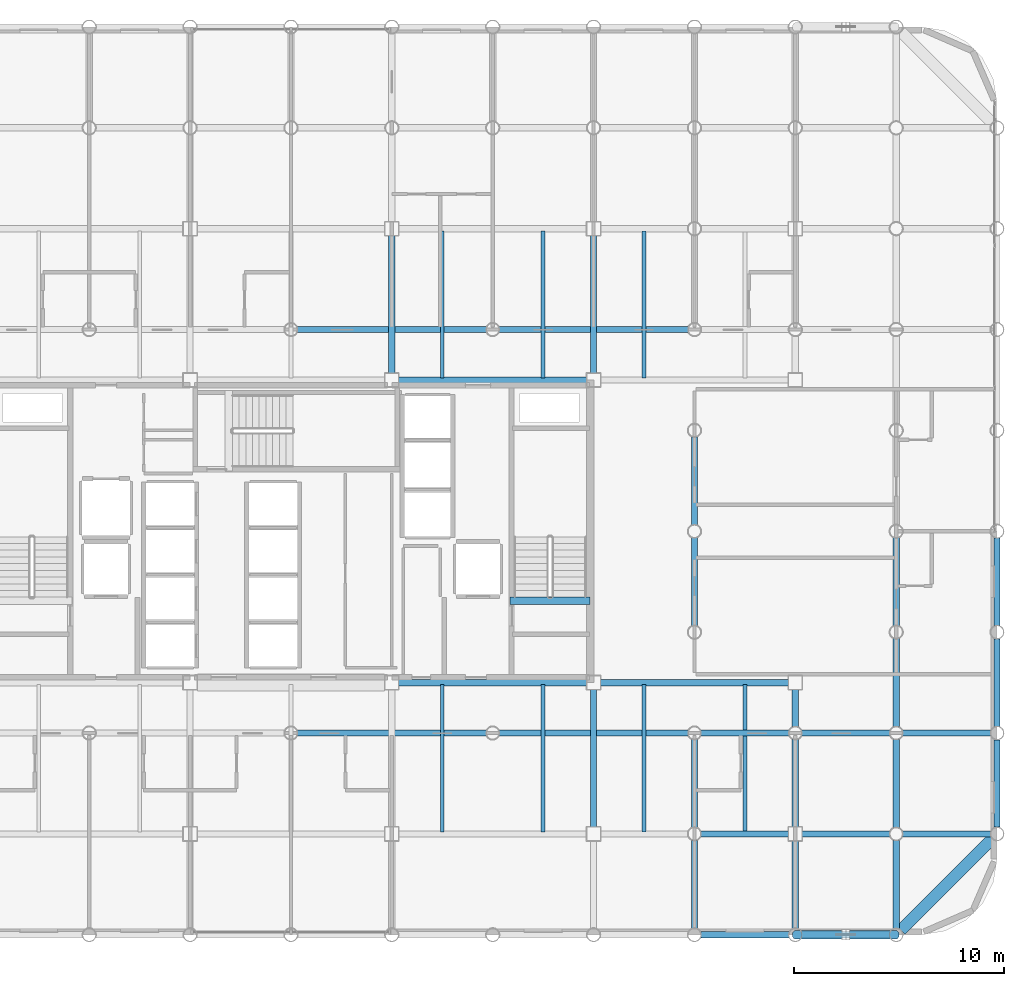
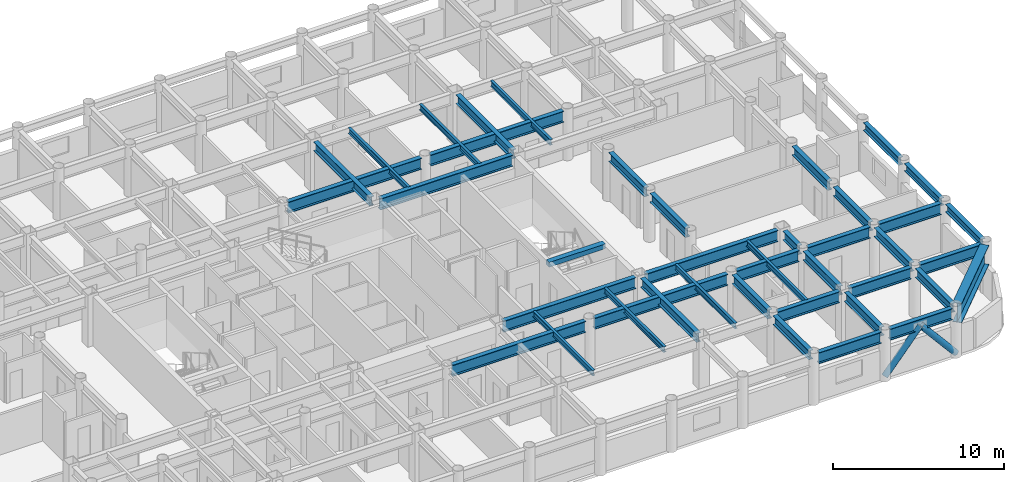
# One storey, part 7 of 22: 41 beams, 2 members.
"""IFC4 building model written with IfcOpenShell, lengths in metres."""

from ifc_helpers import new_model, si_unit, direction, frame, origin, origin_2d, place, context, subcontext, project, spatial, rectangle, hollow_circle, i_section, extrude, material, material_profile, profile_set, type_object, element, save


model = new_model("IFC4")

# Units and contexts
model_context = context("Model", 3, precision=1e-05, world=origin(), true_north=direction((0.0, 1.0)))
body_context = subcontext(model_context, "Body", "Model", "MODEL_VIEW")
ifc_project = project(units=[si_unit("LENGTHUNIT", "METRE"), si_unit("AREAUNIT", "SQUARE_METRE"), si_unit("VOLUMEUNIT", "CUBIC_METRE"), si_unit("PLANEANGLEUNIT", "RADIAN"), si_unit("MASSUNIT", "GRAM", prefix="KILO")], contexts=[model_context])

# Site, building, storey
site_placement = place(None, origin())
site = spatial("IfcSite", under=ifc_project, at=site_placement, CompositionType="ELEMENT")
building_placement = place(site_placement, origin())
building = spatial("IfcBuilding", under=site, at=building_placement, Name="Kallvorn Hotel Tower", CompositionType="ELEMENT")
storey_placement = place(building_placement, frame((0.0, 0.0, 106.300048828125)))
storey = spatial("IfcBuildingStorey", under=building, at=storey_placement, Name="L25", CompositionType="ELEMENT", Elevation=106.300048828125)

# Beams
ifc_material_1 = material(Name="Structural steel S355JR", Category="steel")
ifc_material_profile_1 = material_profile(ifc_material_1, i_section(OverallWidth=0.300048828125, OverallDepth=0.550048828125, WebThickness=0.014892578125, FlangeThickness=0.029052734375, at=origin_2d()), Name="HE 550 B")
ifc_profile_set_1 = profile_set([ifc_material_profile_1], Name="Structural steel S355JR")
beam_type_1 = type_object("IfcBeamType", Name="BM_HE550B", PredefinedType="SPANDREL", material=ifc_profile_set_1)
beam_1_placement = place(storey_placement, frame((33.60009765625, -14.080078125, 3.244873046875), z_axis=(0.0, 1.0, 0.0), x_axis=(-1.0, 0.0, 0.0)))
element("IfcBeam", 1, at=beam_1_placement, inside=storey, type_object=beam_type_1, Name="L26 Perimeter Spandrel 182", PredefinedType="SPANDREL", context=body_context, shape_type="SweptSolid", body=[
    extrude(i_section(OverallWidth=0.300048828125, OverallDepth=0.550048828125, WebThickness=0.014892578125, FlangeThickness=0.029052734375, at=origin_2d()), origin(), (0.0, 0.0, 1.0), 4.16015625),
])
for number, where, z_axis, x_axis, name in (
    (2, (33.60009765625, -9.280029296875, 3.244873046875), (0.0, 1.0, 0.0), (-1.0, 0.0, 0.0), "L26 Perimeter Spandrel 183"),
    (3, (33.60009765625, -4.47998046875, 3.244873046875), (0.0, 1.0, 0.0), (-1.0, 0.0, 0.0), "L26 Perimeter Spandrel 184"),
):
    element("IfcBeam", number, at=place(storey_placement, frame(where, z_axis=z_axis, x_axis=x_axis)), inside=storey, type_object=beam_type_1, Name=name, PredefinedType="SPANDREL", context=body_context, shape_type="SweptSolid", body=[
        extrude(i_section(OverallWidth=0.300048828125, OverallDepth=0.550048828125, WebThickness=0.014892578125, FlangeThickness=0.029052734375, at=origin_2d()), origin(), (0.0, 0.0, 1.0), 4.159912109375),
    ])
ifc_material_2 = material(Name="Structural steel S355JR", Category="steel")
ifc_material_profile_2 = material_profile(ifc_material_2, i_section(OverallWidth=0.300048828125, OverallDepth=0.64990234375, WebThickness=0.01611328125, FlangeThickness=0.031005859375, at=origin_2d()), Name="HE 650 B")
ifc_profile_set_2 = profile_set([ifc_material_profile_2], Name="Structural steel S355JR")
beam_type_2 = type_object("IfcBeamType", Name="BM_HE650B", PredefinedType="BEAM", material=ifc_profile_set_2)
for number, where, z_axis, x_axis, name in (
    (4, (4.800048828125, 7.52490234375, 3.195068359375), (0.0, 1.0, 0.0), (-1.0, 0.0, 0.0), "L26 Primary Y-Girder 115"),
    (5, (14.39990234375, -14.074951171875, 3.195068359375), (0.0, 1.0, 0.0), (-1.0, 0.0, 0.0), "L26 Primary Y-Girder 122"),
    (6, (14.39990234375, 7.52490234375, 3.195068359375), (0.0, 1.0, 0.0), (-1.0, 0.0, 0.0), "L26 Primary Y-Girder 123"),
):
    element("IfcBeam", number, at=place(storey_placement, frame(where, z_axis=z_axis, x_axis=x_axis)), inside=storey, type_object=beam_type_2, Name=name, PredefinedType="BEAM", context=body_context, shape_type="SweptSolid", body=[
        extrude(i_section(OverallWidth=0.300048828125, OverallDepth=0.64990234375, WebThickness=0.01611328125, FlangeThickness=0.031005859375, at=origin_2d()), origin(), (0.0, 0.0, 1.0), 6.550048828125),
    ])
for number, where, z_axis, x_axis, name in (
    (7, (19.199951171875, -18.89501953125, 3.195068359375), (0.0, 1.0, 0.0), (-1.0, 0.0, 0.0), "L26 Primary Y-Girder 126"),
    (8, (19.199951171875, -14.094970703125, 3.195068359375), (0.0, 1.0, 0.0), (-1.0, 0.0, 0.0), "L26 Primary Y-Girder 127"),
):
    element("IfcBeam", number, at=place(storey_placement, frame(where, z_axis=z_axis, x_axis=x_axis)), inside=storey, type_object=beam_type_2, Name=name, PredefinedType="BEAM", context=body_context, shape_type="SweptSolid", body=[
        extrude(i_section(OverallWidth=0.300048828125, OverallDepth=0.64990234375, WebThickness=0.01611328125, FlangeThickness=0.031005859375, at=origin_2d()), origin(), (0.0, 0.0, 1.0), 4.18994140625),
    ])
for number, where, z_axis, x_axis, name in (
    (9, (19.199951171875, -4.4951171875, 3.195068359375), (0.0, 1.0, 0.0), (-1.0, 0.0, 0.0), "L26 Primary Y-Girder 129"),
    (10, (19.199951171875, 0.304931640625, 3.195068359375), (0.0, 1.0, 0.0), (-1.0, 0.0, 0.0), "L26 Primary Y-Girder 130"),
):
    element("IfcBeam", number, at=place(storey_placement, frame(where, z_axis=z_axis, x_axis=x_axis)), inside=storey, type_object=beam_type_2, Name=name, PredefinedType="BEAM", context=body_context, shape_type="SweptSolid", body=[
        extrude(i_section(OverallWidth=0.300048828125, OverallDepth=0.64990234375, WebThickness=0.01611328125, FlangeThickness=0.031005859375, at=origin_2d()), origin(), (0.0, 0.0, 1.0), 4.190185546875),
    ])
for number, where, z_axis, x_axis, name in (
    (11, (24.0, -18.89501953125, 3.195068359375), (0.0, 1.0, 0.0), (-1.0, 0.0, 0.0), "L26 Primary Y-Girder 135"),
    (12, (24.0, -14.074951171875, 3.195068359375), (0.0, 1.0, 0.0), (-1.0, 0.0, 0.0), "L26 Primary Y-Girder 136"),
):
    element("IfcBeam", number, at=place(storey_placement, frame(where, z_axis=z_axis, x_axis=x_axis)), inside=storey, type_object=beam_type_2, Name=name, PredefinedType="BEAM", context=body_context, shape_type="SweptSolid", body=[
        extrude(i_section(OverallWidth=0.300048828125, OverallDepth=0.64990234375, WebThickness=0.01611328125, FlangeThickness=0.031005859375, at=origin_2d()), origin(), (0.0, 0.0, 1.0), 4.169921875),
    ])
beam_2_placement = place(storey_placement, frame((24.0, -9.294921875, 3.195068359375), z_axis=(0.0, 1.0, 0.0), x_axis=(-1.0, 0.0, 0.0)))
element("IfcBeam", 13, at=beam_2_placement, inside=storey, type_object=beam_type_2, Name="L26 Primary Y-Girder 137", PredefinedType="BEAM", context=body_context, shape_type="SweptSolid", body=[
    extrude(i_section(OverallWidth=0.300048828125, OverallDepth=0.64990234375, WebThickness=0.01611328125, FlangeThickness=0.031005859375, at=origin_2d()), origin(), (0.0, 0.0, 1.0), 1.77001953125),
])
for number, where, z_axis, x_axis, name in (
    (14, (28.800048828125, -18.89501953125, 3.195068359375), (0.0, 1.0, 0.0), (-1.0, 0.0, 0.0), "L26 Primary Y-Girder 142"),
    (15, (28.800048828125, -14.094970703125, 3.195068359375), (0.0, 1.0, 0.0), (-1.0, 0.0, 0.0), "L26 Primary Y-Girder 143"),
    (16, (28.800048828125, -9.294921875, 3.195068359375), (0.0, 1.0, 0.0), (-1.0, 0.0, 0.0), "L26 Primary Y-Girder 144"),
):
    element("IfcBeam", number, at=place(storey_placement, frame(where, z_axis=z_axis, x_axis=x_axis)), inside=storey, type_object=beam_type_2, Name=name, PredefinedType="BEAM", context=body_context, shape_type="SweptSolid", body=[
        extrude(i_section(OverallWidth=0.300048828125, OverallDepth=0.64990234375, WebThickness=0.01611328125, FlangeThickness=0.031005859375, at=origin_2d()), origin(), (0.0, 0.0, 1.0), 4.18994140625),
    ])
beam_3_placement = place(storey_placement, frame((28.800048828125, -4.4951171875, 3.195068359375), z_axis=(0.0, 1.0, 0.0), x_axis=(-1.0, 0.0, 0.0)))
element("IfcBeam", 17, at=beam_3_placement, inside=storey, type_object=beam_type_2, Name="L26 Primary Y-Girder 145", PredefinedType="BEAM", context=body_context, shape_type="SweptSolid", body=[
    extrude(i_section(OverallWidth=0.300048828125, OverallDepth=0.64990234375, WebThickness=0.01611328125, FlangeThickness=0.031005859375, at=origin_2d()), origin(), (0.0, 0.0, 1.0), 4.190185546875),
])
ifc_material_3 = material(Name="Structural steel S355JR", Category="steel")
ifc_material_profile_3 = material_profile(ifc_material_3, i_section(OverallWidth=0.300048828125, OverallDepth=0.800048828125, WebThickness=0.017578125, FlangeThickness=0.032958984375, at=origin_2d()), Name="HE 800 B")
ifc_profile_set_3 = profile_set([ifc_material_profile_3], Name="Structural steel S355JR")
beam_type_3 = type_object("IfcBeamType", Name="BM_HE800B", PredefinedType="BEAM", material=ifc_profile_set_3)
for number, where, z_axis, x_axis, name in (
    (18, (19.5048828125, -19.199951171875, 3.119873046875), (1.0, 0.0, 0.0), (0.0, 1.0, 0.0), "L26 Primary X-Girder 11"),
    (19, (24.304931640625, -19.199951171875, 3.119873046875), (1.0, 0.0, 0.0), (0.0, 1.0, 0.0), "L26 Primary X-Girder 12"),
):
    element("IfcBeam", number, at=place(storey_placement, frame(where, z_axis=z_axis, x_axis=x_axis)), inside=storey, type_object=beam_type_3, Name=name, PredefinedType="BEAM", context=body_context, shape_type="SweptSolid", body=[
        extrude(i_section(OverallWidth=0.300048828125, OverallDepth=0.800048828125, WebThickness=0.017578125, FlangeThickness=0.032958984375, at=origin_2d()), origin(), (0.0, 0.0, 1.0), 4.190185546875),
    ])
for number, where, z_axis, x_axis, name in (
    (20, (19.5048828125, -14.39990234375, 3.119873046875), (1.0, 0.0, 0.0), (0.0, 1.0, 0.0), "L26 Primary X-Girder 20"),
    (21, (24.324951171875, -14.39990234375, 3.119873046875), (1.0, 0.0, 0.0), (0.0, 1.0, 0.0), "L26 Primary X-Girder 21"),
):
    element("IfcBeam", number, at=place(storey_placement, frame(where, z_axis=z_axis, x_axis=x_axis)), inside=storey, type_object=beam_type_3, Name=name, PredefinedType="BEAM", context=body_context, shape_type="SweptSolid", body=[
        extrude(i_section(OverallWidth=0.300048828125, OverallDepth=0.800048828125, WebThickness=0.017578125, FlangeThickness=0.032958984375, at=origin_2d()), origin(), (0.0, 0.0, 1.0), 4.170166015625),
    ])
beam_4_placement = place(storey_placement, frame((29.10498046875, -14.39990234375, 3.119873046875), z_axis=(1.0, 0.0, 0.0), x_axis=(0.0, 1.0, 0.0)))
element("IfcBeam", 22, at=beam_4_placement, inside=storey, type_object=beam_type_3, Name="L26 Primary X-Girder 22", PredefinedType="BEAM", context=body_context, shape_type="SweptSolid", body=[
    extrude(i_section(OverallWidth=0.300048828125, OverallDepth=0.800048828125, WebThickness=0.017578125, FlangeThickness=0.032958984375, at=origin_2d()), origin(), (0.0, 0.0, 1.0), 4.18994140625),
])
for number, where, z_axis, x_axis, name in (
    (23, (0.304931640625, -9.60009765625, 3.119873046875), (1.0, 0.0, 0.0), (0.0, 1.0, 0.0), "L26 Primary X-Girder 27"),
    (24, (9.905029296875, -9.60009765625, 3.119873046875), (1.0, 0.0, 0.0), (0.0, 1.0, 0.0), "L26 Primary X-Girder 28"),
):
    element("IfcBeam", number, at=place(storey_placement, frame(where, z_axis=z_axis, x_axis=x_axis)), inside=storey, type_object=beam_type_3, Name=name, PredefinedType="BEAM", context=body_context, shape_type="SweptSolid", body=[
        extrude(i_section(OverallWidth=0.300048828125, OverallDepth=0.800048828125, WebThickness=0.017578125, FlangeThickness=0.032958984375, at=origin_2d()), origin(), (0.0, 0.0, 1.0), 8.989990234375),
    ])
for number, where, z_axis, x_axis, name in (
    (25, (19.5048828125, -9.60009765625, 3.119873046875), (1.0, 0.0, 0.0), (0.0, 1.0, 0.0), "L26 Primary X-Girder 29"),
    (26, (24.304931640625, -9.60009765625, 3.119873046875), (1.0, 0.0, 0.0), (0.0, 1.0, 0.0), "L26 Primary X-Girder 30"),
):
    element("IfcBeam", number, at=place(storey_placement, frame(where, z_axis=z_axis, x_axis=x_axis)), inside=storey, type_object=beam_type_3, Name=name, PredefinedType="BEAM", context=body_context, shape_type="SweptSolid", body=[
        extrude(i_section(OverallWidth=0.300048828125, OverallDepth=0.800048828125, WebThickness=0.017578125, FlangeThickness=0.032958984375, at=origin_2d()), origin(), (0.0, 0.0, 1.0), 4.190185546875),
    ])
beam_5_placement = place(storey_placement, frame((29.10498046875, -9.60009765625, 3.119873046875), z_axis=(1.0, 0.0, 0.0), x_axis=(0.0, 1.0, 0.0)))
element("IfcBeam", 27, at=beam_5_placement, inside=storey, type_object=beam_type_3, Name="L26 Primary X-Girder 31", PredefinedType="BEAM", context=body_context, shape_type="SweptSolid", body=[
    extrude(i_section(OverallWidth=0.300048828125, OverallDepth=0.800048828125, WebThickness=0.017578125, FlangeThickness=0.032958984375, at=origin_2d()), origin(), (0.0, 0.0, 1.0), 4.18994140625),
])
for number, where, z_axis, x_axis, name in (
    (28, (5.125, -7.199951171875, 3.119873046875), (1.0, 0.0, 0.0), (0.0, 1.0, 0.0), "L26 Primary X-Girder 34"),
    (29, (14.72509765625, -7.199951171875, 3.119873046875), (1.0, 0.0, 0.0), (0.0, 1.0, 0.0), "L26 Primary X-Girder 35"),
    (30, (5.125, 7.199951171875, 3.119873046875), (1.0, 0.0, 0.0), (0.0, 1.0, 0.0), "L26 Primary X-Girder 39"),
):
    element("IfcBeam", number, at=place(storey_placement, frame(where, z_axis=z_axis, x_axis=x_axis)), inside=storey, type_object=beam_type_3, Name=name, PredefinedType="BEAM", context=body_context, shape_type="SweptSolid", body=[
        extrude(i_section(OverallWidth=0.300048828125, OverallDepth=0.800048828125, WebThickness=0.017578125, FlangeThickness=0.032958984375, at=origin_2d()), origin(), (0.0, 0.0, 1.0), 8.949951171875),
    ])
for number, where, z_axis, x_axis, name in (
    (31, (0.304931640625, 9.60009765625, 3.119873046875), (1.0, 0.0, 0.0), (0.0, 1.0, 0.0), "L26 Primary X-Girder 45"),
    (32, (9.905029296875, 9.60009765625, 3.119873046875), (1.0, 0.0, 0.0), (0.0, 1.0, 0.0), "L26 Primary X-Girder 46"),
):
    element("IfcBeam", number, at=place(storey_placement, frame(where, z_axis=z_axis, x_axis=x_axis)), inside=storey, type_object=beam_type_3, Name=name, PredefinedType="BEAM", context=body_context, shape_type="SweptSolid", body=[
        extrude(i_section(OverallWidth=0.300048828125, OverallDepth=0.800048828125, WebThickness=0.017578125, FlangeThickness=0.032958984375, at=origin_2d()), origin(), (0.0, 0.0, 1.0), 8.989990234375),
    ])
ifc_material_4 = material(Name="Structural steel S355JR", Category="steel")
ifc_material_profile_4 = material_profile(ifc_material_4, i_section(OverallWidth=0.179931640625, OverallDepth=0.39990234375, WebThickness=0.008544921875, FlangeThickness=0.013427734375, at=origin_2d()), Name="IPE 400")
ifc_profile_set_4 = profile_set([ifc_material_profile_4], Name="Structural steel S355JR")
beam_type_4 = type_object("IfcBeamType", Name="BM_IPE400", PredefinedType="JOIST", material=ifc_profile_set_4)
for number, where, z_axis, x_axis, name in (
    (33, (7.199951171875, -14.300048828125, 3.320068359375), (0.0, 1.0, 0.0), (-1.0, 0.0, 0.0), "L26 Secondary Composite Joist 202"),
    (34, (7.199951171875, 7.300048828125, 3.320068359375), (0.0, 1.0, 0.0), (-1.0, 0.0, 0.0), "L26 Secondary Composite Joist 203"),
    (35, (12.0, -14.300048828125, 3.320068359375), (0.0, 1.0, 0.0), (-1.0, 0.0, 0.0), "L26 Secondary Composite Joist 204"),
    (36, (12.0, 7.300048828125, 3.320068359375), (0.0, 1.0, 0.0), (-1.0, 0.0, 0.0), "L26 Secondary Composite Joist 205"),
    (37, (16.800048828125, -14.300048828125, 3.320068359375), (0.0, 1.0, 0.0), (-1.0, 0.0, 0.0), "L26 Secondary Composite Joist 206"),
    (38, (16.800048828125, 7.300048828125, 3.320068359375), (0.0, 1.0, 0.0), (-1.0, 0.0, 0.0), "L26 Secondary Composite Joist 207"),
    (39, (21.60009765625, -14.300048828125, 3.320068359375), (0.0, 1.0, 0.0), (-1.0, 0.0, 0.0), "L26 Secondary Composite Joist 208"),
):
    element("IfcBeam", number, at=place(storey_placement, frame(where, z_axis=z_axis, x_axis=x_axis)), inside=storey, type_object=beam_type_4, Name=name, PredefinedType="JOIST", context=body_context, shape_type="SweptSolid", body=[
        extrude(i_section(OverallWidth=0.179931640625, OverallDepth=0.39990234375, WebThickness=0.008544921875, FlangeThickness=0.013427734375, at=origin_2d()), origin(), (0.0, 0.0, 1.0), 7.0),
    ])
ifc_material_5 = material(Name="Structural steel S355JR", Category="steel")
ifc_material_profile_5 = material_profile(ifc_material_5, i_section(OverallWidth=0.550048828125, OverallDepth=1.39990234375, WebThickness=0.02490234375, FlangeThickness=0.044921875, at=origin_2d()), Name="PG 1400x550x25x45")
ifc_profile_set_5 = profile_set([ifc_material_profile_5], Name="Structural steel S355JR")
beam_type_5 = type_object("IfcBeamType", Name="BM_PG_1400", PredefinedType="BEAM", material=ifc_profile_set_5)
beam_6_placement = place(storey_placement, frame((33.373779296875, -14.626220703125, 2.820068359375), z_axis=(-0.707106781187, -0.707106781187, 0.0), x_axis=(0.707106781187, -0.707106781187, 0.0)))
element("IfcBeam", 40, at=beam_6_placement, inside=storey, type_object=beam_type_5, Name="L26 Rounded Corner Tie Beam 190", PredefinedType="BEAM", context=body_context, shape_type="SweptSolid", body=[
    extrude(i_section(OverallWidth=0.550048828125, OverallDepth=1.39990234375, WebThickness=0.02490234375, FlangeThickness=0.044921875, at=origin_2d()), origin(), (0.0, 0.0, 1.0), 6.148193359375),
])
ifc_material_6 = material(Name="Concrete C50/60", Category="concrete")
ifc_material_profile_6 = material_profile(ifc_material_6, rectangle(XDim=0.360107421875, YDim=0.340087890625, at=origin_2d()), Name="RC 360x340")
ifc_profile_set_6 = profile_set([ifc_material_profile_6], Name="Concrete C50/60")
beam_type_6 = type_object("IfcBeamType", Name="BM_RC_400x360", PredefinedType="BEAM", material=ifc_profile_set_6)
beam_7_placement = place(storey_placement, frame((14.239990234375, -3.31005859375, 3.349853515625), z_axis=(-1.0, 0.0, 0.0), x_axis=(0.0, -1.0, 0.0)))
element("IfcBeam", 41, at=beam_7_placement, inside=storey, type_object=beam_type_6, Name="L26 Stair ST2 Arrival Trimmer Beam", PredefinedType="BEAM", context=body_context, shape_type="SweptSolid", body=[
    extrude(rectangle(XDim=0.360107421875, YDim=0.340087890625, at=origin_2d()), origin(), (0.0, 0.0, 1.0), 3.820068359375),
])

# Members
ifc_material_7 = material(Name="Structural steel S355J2H", Category="steel")
ifc_material_profile_7 = material_profile(ifc_material_7, hollow_circle(Radius=0.203125, WallThickness=0.01611328125, at=origin_2d()), Name="CHS 406.4x16")
ifc_profile_set_7 = profile_set([ifc_material_profile_7], Name="Structural steel S355J2H")
member_type = type_object("IfcMemberType", Name="MBR_EXO_CHS406", PredefinedType="BRACE", material=ifc_profile_set_7)
for number, where, z_axis, x_axis, name in (
    (42, (24.012939453125, -19.199951171875, 0.1953125), (0.646833296797, 0.0, 0.762631422218), (0.0, 1.0, 0.0), "L25 Exoskeleton K-Brace S2A"),
    (43, (28.787109375, -19.199951171875, 0.1953125), (-0.646833296797, 0.0, 0.762631422218), (0.0, -1.0, 0.0), "L25 Exoskeleton K-Brace S2B"),
):
    element("IfcMember", number, at=place(storey_placement, frame(where, z_axis=z_axis, x_axis=x_axis)), inside=storey, type_object=member_type, Name=name, PredefinedType="BRACE", context=body_context, shape_type="SweptSolid", body=[
        extrude(hollow_circle(Radius=0.203125, WallThickness=0.01611328125, at=origin_2d()), origin(), (0.0, 0.0, 1.0), 3.670654296875),
    ])

save(model, "model.ifc")
